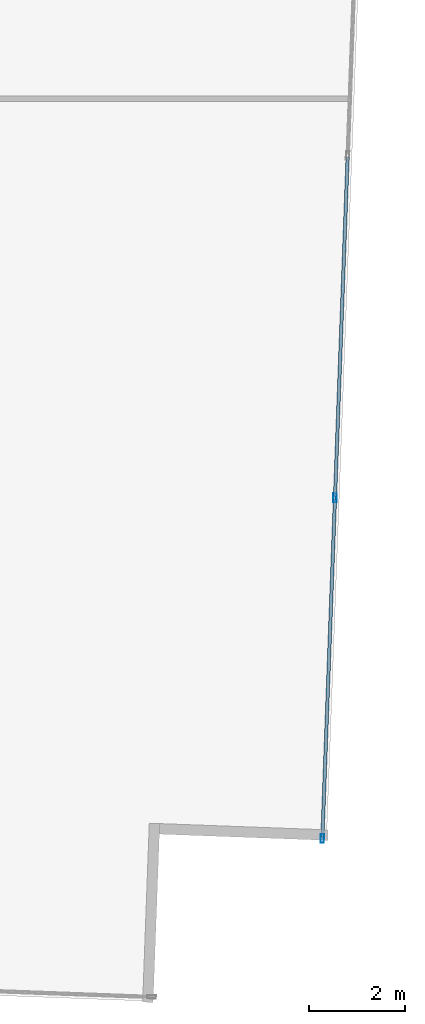
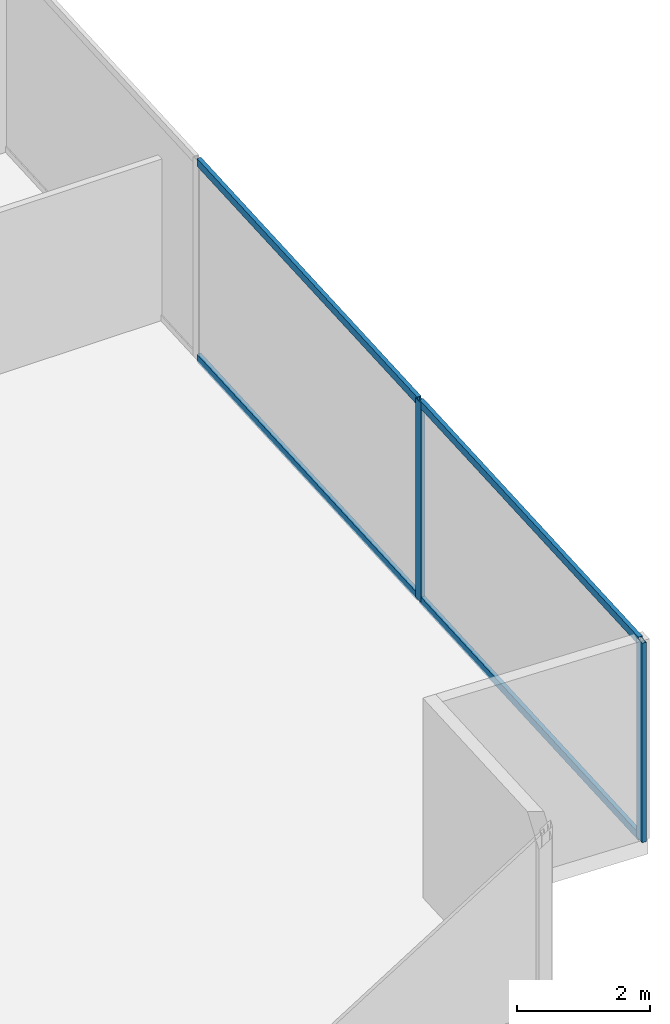
# One storey, part 14 of 30: 6 members, 1 element without a shape of its own.
"""IFC4 building model written with IfcOpenShell, lengths in metres."""

import ifcopenshell
import ifcopenshell.guid

model = None  # the IFC model being written
_history = None  # IfcOwnerHistory: only IFC2X3 demands one
_inside = {}  # id of a spatial element -> (the spatial element, [elements in it])
_under = {}  # id of a project, library or spatial element -> (it, [spatial elements below it])
_declared = {}  # id of a project -> (the project, [libraries it declares])
_typed = {}  # id of a type object -> (the type object, [elements of that type])
_made_of = {}  # id of a material, layer set ... -> (it, [elements and type objects made of it])


def new_model(schema):
    """Start an empty IFC model of exactly this schema.

    Asked for "IFC4X3", IfcOpenShell would pick the latest addendum, in which some entities
    have other attributes; the version numbers below select the first issue.
    IFC2X3 requires an IfcOwnerHistory on every rooted entity: one is made here for all.
    """
    global model, _history
    if schema == "IFC4X3":
        model = ifcopenshell.file(schema_version=(4, 3, 0, 0))
    else:
        model = ifcopenshell.file(schema=schema)
    _inside.clear()
    _under.clear()
    _declared.clear()
    _typed.clear()
    _made_of.clear()
    _history = None
    if model.schema == "IFC2X3":
        org = make("IfcOrganization", Name="unknown")
        user = make(
            "IfcPersonAndOrganization",
            ThePerson=make("IfcPerson", FamilyName="unknown"),
            TheOrganization=org,
        )
        app = make(
            "IfcApplication",
            ApplicationDeveloper=org,
            Version="unknown",
            ApplicationFullName="unknown",
            ApplicationIdentifier="unknown",
        )
        _history = make(
            "IfcOwnerHistory",
            OwningUser=user,
            OwningApplication=app,
            ChangeAction="ADDED",
            CreationDate=0,
        )
    return model


def make(cls, **values):
    """One entity of the class cls with the attributes given. An attribute that is None is left unset."""
    return model.create_entity(
        cls, **{name: value for name, value in values.items() if value is not None}
    )


def rooted(cls, **values):
    """An entity with a GlobalId (a new one), such as an element, a storey or a relation."""
    return make(cls, GlobalId=ifcopenshell.guid.new(), OwnerHistory=_history, **values)


def si_unit(unit_type, name, prefix=None):
    """IfcSIUnit, for example si_unit("LENGTHUNIT", "METRE", prefix="MILLI")."""
    return make("IfcSIUnit", UnitType=unit_type, Prefix=prefix, Name=name)


def assignment(units):
    """IfcUnitAssignment: the units of a project."""
    return None if units is None else make("IfcUnitAssignment", Units=units)


def point(xyz):
    """IfcCartesianPoint."""
    return None if xyz is None else make("IfcCartesianPoint", Coordinates=xyz)


def direction(xyz):
    """IfcDirection."""
    return None if xyz is None else make("IfcDirection", DirectionRatios=xyz)


def frame(location, z_axis=None, x_axis=None):
    """IfcAxis2Placement3D, a coordinate frame: its origin and axes. An axis left out is left unset."""
    return make(
        "IfcAxis2Placement3D",
        Location=point(location),
        Axis=direction(z_axis),
        RefDirection=direction(x_axis),
    )


def frame_2d(location, x_axis=None):
    """IfcAxis2Placement2D, a coordinate frame in the plane: its origin and x axis."""
    return make(
        "IfcAxis2Placement2D", Location=point(location), RefDirection=direction(x_axis)
    )


def origin():
    """The frame at (0, 0, 0) with its axes left unset."""
    return frame((0.0, 0.0, 0.0))


def origin_2d():
    """The frame at (0, 0) in the plane with its x axis left unset."""
    return frame_2d((0.0, 0.0))


def place(relative_to, where):
    """IfcLocalPlacement: puts the frame where relative to a parent placement (None: the world)."""
    return make(
        "IfcLocalPlacement", PlacementRelTo=relative_to, RelativePlacement=where
    )


def context(
    kind, dimensions, precision=None, world=None, true_north=None, identifier=None
):
    """IfcGeometricRepresentationContext, for example the 3D "Model" context."""
    return make(
        "IfcGeometricRepresentationContext",
        ContextIdentifier=identifier,
        ContextType=kind,
        CoordinateSpaceDimension=dimensions,
        Precision=precision,
        WorldCoordinateSystem=world,
        TrueNorth=true_north,
    )


def subcontext(parent, identifier, kind, view, scale=None):
    """IfcGeometricRepresentationSubContext, for example "Body" below "Model"."""
    return make(
        "IfcGeometricRepresentationSubContext",
        ContextIdentifier=identifier,
        ContextType=kind,
        ParentContext=parent,
        TargetScale=scale,
        TargetView=view,
    )


def project(units=None, contexts=None):
    """IfcProject with its units and contexts."""
    return rooted(
        "IfcProject",
        Name="project",
        RepresentationContexts=contexts,
        UnitsInContext=assignment(units),
    )


def spatial(cls, under=None, at=None, **own):
    """A site, building, storey or space (cls), placed at a placement, below another one or the project."""
    s = rooted(cls, ObjectPlacement=at, **own)
    if under is not None:
        _under.setdefault(under.id(), (under, []))[1].append(s)
    return s


def profile(cls, at=None, kind="AREA", **sizes):
    """A parametric profile (cls). Its sizes go by their IFC names, for example OverallWidth=200.0."""
    return make(cls, ProfileType=kind, Position=at, **sizes)


def hollow_rectangle(**sizes):
    """IfcRectangleHollowProfileDef."""
    return profile("IfcRectangleHollowProfileDef", **sizes)


def extrude(swept, where, along, depth):
    """IfcExtrudedAreaSolid: the profile swept, set in the frame where, extruded along a direction by depth."""
    return make(
        "IfcExtrudedAreaSolid",
        SweptArea=swept,
        Position=where,
        ExtrudedDirection=direction(along),
        Depth=depth,
    )


def shape(context_of_items, identifier, shape_type, items):
    """IfcShapeRepresentation: the items that make up one representation, for example the "Body"."""
    return make(
        "IfcShapeRepresentation",
        ContextOfItems=context_of_items,
        RepresentationIdentifier=identifier,
        RepresentationType=shape_type,
        Items=items,
    )


def source(mapping_origin, context_of_items, identifier, shape_type, items):
    """IfcRepresentationMap: a shape defined once, which mapped items show again and again."""
    return make(
        "IfcRepresentationMap",
        MappingOrigin=mapping_origin,
        MappedRepresentation=shape(context_of_items, identifier, shape_type, items),
    )


def transform(
    local_origin,
    x_axis=None,
    y_axis=None,
    z_axis=None,
    scale=None,
    scale2=None,
    scale3=None,
    uniform=True,
):
    """IfcCartesianTransformationOperator3D, or its non-uniform kind. x_axis, y_axis, z_axis: its Axis1, 2, 3."""
    if uniform:
        return make(
            "IfcCartesianTransformationOperator3D",
            Axis1=direction(x_axis),
            Axis2=direction(y_axis),
            LocalOrigin=point(local_origin),
            Scale=scale,
            Axis3=direction(z_axis),
        )
    return make(
        "IfcCartesianTransformationOperator3DnonUniform",
        Axis1=direction(x_axis),
        Axis2=direction(y_axis),
        LocalOrigin=point(local_origin),
        Scale=scale,
        Axis3=direction(z_axis),
        Scale2=scale2,
        Scale3=scale3,
    )


def mapped(mapping_source, mapping_target):
    """IfcMappedItem: shows the shape of a source again, moved by a transform."""
    return make(
        "IfcMappedItem", MappingSource=mapping_source, MappingTarget=mapping_target
    )


def material(Name=None, Category=None):
    """IfcMaterial."""
    return make("IfcMaterial", Name=Name, Category=Category)


def material_profile(
    of_material, cross_section, Name=None, Category=None, Priority=None
):
    """IfcMaterialProfile: a cross section and its material."""
    return make(
        "IfcMaterialProfile",
        Name=Name,
        Material=of_material,
        Profile=cross_section,
        Priority=Priority,
        Category=Category,
    )


def profile_set(profiles, Name=None, composite=None):
    """IfcMaterialProfileSet."""
    return make(
        "IfcMaterialProfileSet",
        Name=Name,
        MaterialProfiles=profiles,
        CompositeProfile=composite,
    )


def made_of(thing, what):
    """Note that an element or type object is made of a material, layer set ...; save() writes the relation."""
    if what is not None:
        _made_of.setdefault(what.id(), (what, []))[1].append(thing)
    return thing


def type_object(cls, material=None, **own):
    """A type object (cls), such as IfcWallType, which elements share."""
    return made_of(rooted(cls, **own), material)


def type_shapes(of_type, sources):
    """Give a type object the sources (RepresentationMaps) that its elements show as mapped items."""
    of_type.RepresentationMaps = sources


def element(
    cls,
    number,
    at=None,
    inside=None,
    cuts=None,
    type_object=None,
    material=None,
    context=None,
    identifier="Body",
    shape_type=None,
    held_by="IfcProductDefinitionShape",
    body=None,
    shapes=None,
    **own,
):
    """One element of the class cls, such as IfcWall. Its Tag is "e" and its number.

    at: its placement. inside: the storey or other place that contains it. cuts: it is an
    opening in that element (IfcRelVoidsElement). A single representation is given by context,
    identifier, shape_type and body (its items); several are given by shapes. held_by: the class
    of the entity that holds the representations. save() writes the other relations.
    """
    e = rooted(cls, Tag="e%d" % number, ObjectPlacement=at, **own)
    if body is not None:
        shapes = [shape(context, identifier, shape_type, body)]
    if shapes is not None:
        e.Representation = make(held_by, Representations=shapes)
    if inside is not None:
        _inside.setdefault(inside.id(), (inside, []))[1].append(e)
    if cuts is not None:
        rooted(
            "IfcRelVoidsElement", RelatingBuildingElement=cuts, RelatedOpeningElement=e
        )
    if type_object is not None:
        _typed.setdefault(type_object.id(), (type_object, []))[1].append(e)
    return made_of(e, material)


def aggregate(whole, parts):
    """IfcRelAggregates: a whole, such as a stair, and the parts it consists of."""
    return rooted("IfcRelAggregates", RelatingObject=whole, RelatedObjects=parts)


def save(model, path):
    """Write the relations noted so far, then the file.

    IfcRelAggregates (storeys below a building ...), IfcRelContainedInSpatialStructure (elements
    in a storey), IfcRelDefinesByType, IfcRelAssociatesMaterial and IfcRelDeclares: one each for
    every whole, place, type object, material and project.
    """
    for whole, parts in _under.values():
        aggregate(whole, parts)
    for where, things in _inside.values():
        rooted(
            "IfcRelContainedInSpatialStructure",
            RelatedElements=things,
            RelatingStructure=where,
        )
    for kind, things in _typed.values():
        rooted("IfcRelDefinesByType", RelatedObjects=things, RelatingType=kind)
    for what, things in _made_of.values():
        rooted("IfcRelAssociatesMaterial", RelatedObjects=things, RelatingMaterial=what)
    for by, libraries in _declared.values():
        rooted("IfcRelDeclares", RelatingContext=by, RelatedDefinitions=libraries)
    model.write(path)


model = new_model("IFC4")

# Units and contexts
model_context = context("Model", 3, precision=1e-05, world=origin(), true_north=direction((0.0, 1.0)))
body_context = subcontext(model_context, "Body", "Model", "MODEL_VIEW")
ifc_project = project(units=[si_unit("LENGTHUNIT", "METRE"), si_unit("AREAUNIT", "SQUARE_METRE"), si_unit("VOLUMEUNIT", "CUBIC_METRE"), si_unit("PLANEANGLEUNIT", "RADIAN"), si_unit("MASSUNIT", "GRAM", prefix="KILO")], contexts=[model_context])

# Site, building, storey
site_placement = place(None, origin())
site = spatial("IfcSite", under=ifc_project, at=site_placement, CompositionType="ELEMENT")
building_placement = place(site_placement, origin())
building = spatial("IfcBuilding", under=site, at=building_placement, Name="Krantzveldt Concourse Tower", CompositionType="ELEMENT")
storey_placement = place(building_placement, frame((0.0, 0.0, 40.800048828125)))
storey = spatial("IfcBuildingStorey", under=building, at=storey_placement, Name="L09", CompositionType="ELEMENT", Elevation=40.800048828125)

# Curtain wall, members
ifc_material = material(Name="Anodised aluminium 6063-T6", Category="aluminium")
curtain_wall_type = type_object("IfcCurtainWallType", Name="CW2", PredefinedType="USERDEFINED", material=ifc_material)
curtain_wall_placement = place(storey_placement, origin())
curtain_wall = element("IfcCurtainWall", 1, at=curtain_wall_placement, inside=storey, type_object=curtain_wall_type, Name="CW-L09-F07", ObjectType="UNITISED CURTAIN WALL", PredefinedType="USERDEFINED")
ifc_material_profile_1 = material_profile(ifc_material, hollow_rectangle(XDim=0.070068359375, YDim=0.179931640625, WallThickness=0.0048828125, at=origin_2d()), Name="Anodised aluminium 6063-T6", Category="aluminium")
ifc_profile_set_1 = profile_set([ifc_material_profile_1], Name="Anodised aluminium 6063-T6 - ALU-MULL 180x70x5")
member_type_1 = type_object("IfcMemberType", Name="CW-MUL-180", PredefinedType="MULLION", material=ifc_profile_set_1)
shared_shape_1 = source(origin(), body_context, "Body", "SweptSolid", [
    extrude(hollow_rectangle(XDim=0.070068359375, YDim=0.179931640625, WallThickness=0.0048828125, at=origin_2d()), origin(), (0.0, 0.0, 1.0), 3.669921875),
])
type_shapes(member_type_1, [shared_shape_1])
member_1_placement = place(storey_placement, frame((60.096923828125, 4.326171875, 0.0), z_axis=(0.0, 0.0, 1.0), x_axis=(-0.999312308986, 0.037079766834, 0.0)))
member_1 = element("IfcMember", 2, at=member_1_placement, type_object=member_type_1, Name="CW-Z12 mullion 1", PredefinedType="MULLION", context=body_context, shape_type="MappedRepresentation", body=[
    mapped(shared_shape_1, transform((0.0, 0.0, 0.0), x_axis=(1.0, 0.0, 0.0), y_axis=(0.0, 1.0, 0.0), z_axis=(0.0, 0.0, 1.0), scale=1.0)),
])
member_2_placement = place(storey_placement, frame((60.361328125, 11.452880859375, 0.0), z_axis=(0.0, 0.0, 1.0), x_axis=(-0.999312308986, 0.037079766834, 0.0)))
member_2 = element("IfcMember", 3, at=member_2_placement, type_object=member_type_1, Name="CW-Z12 mullion 2", PredefinedType="MULLION", context=body_context, shape_type="MappedRepresentation", body=[
    mapped(shared_shape_1, transform((0.0, 0.0, 0.0), x_axis=(1.0, 0.0, 0.0), y_axis=(0.0, 1.0, 0.0), z_axis=(0.0, 0.0, 1.0), scale=1.0)),
])
ifc_material_profile_2 = material_profile(ifc_material, hollow_rectangle(XDim=0.070068359375, YDim=0.139892578125, WallThickness=0.0048828125, at=origin_2d()), Name="Anodised aluminium 6063-T6", Category="aluminium")
ifc_profile_set_2 = profile_set([ifc_material_profile_2], Name="Anodised aluminium 6063-T6 - ALU-TRAN 140x70x5")
member_type_2 = type_object("IfcMemberType", Name="CW-TRN-150", PredefinedType="USERDEFINED", material=ifc_profile_set_2)
shared_shape_2 = source(origin(), body_context, "Body", "SweptSolid", [
    extrude(hollow_rectangle(XDim=0.070068359375, YDim=0.139892578125, WallThickness=0.0048828125, at=origin_2d()), origin(), (0.0, 0.0, 1.0), 7.0966796875),
])
member_3_placement = place(storey_placement, frame((60.36279296875, 11.48779296875, 0.034912109375), z_axis=(0.037051105127, 0.999313372075, 0.0), x_axis=(-0.999313372075, 0.037051105127, 0.0)))
member_3 = element("IfcMember", 4, at=member_3_placement, type_object=member_type_2, Name="CW-Z12 transom 2.1", ObjectType="TRANSOM", PredefinedType="USERDEFINED", context=body_context, shape_type="MappedRepresentation", body=[
    mapped(shared_shape_2, transform((0.0, 0.0, 0.0), x_axis=(1.0, 0.0, 0.0), y_axis=(0.0, 1.0, 0.0), z_axis=(0.0, 0.0, 1.0), scale=1.0)),
])
member_4_placement = place(storey_placement, frame((60.36279296875, 11.48779296875, 3.635009765625), z_axis=(0.037051105127, 0.999313372075, 0.0), x_axis=(-0.999313372075, 0.037051105127, 0.0)))
member_4 = element("IfcMember", 5, at=member_4_placement, type_object=member_type_2, Name="CW-Z12 transom 2.2", ObjectType="TRANSOM", PredefinedType="USERDEFINED", context=body_context, shape_type="MappedRepresentation", body=[
    mapped(shared_shape_2, transform((0.0, 0.0, 0.0), x_axis=(1.0, 0.0, 0.0), y_axis=(0.0, 1.0, 0.0), z_axis=(0.0, 0.0, 1.0), scale=1.0)),
])
shared_shape_3 = source(origin(), body_context, "Body", "SweptSolid", [
    extrude(hollow_rectangle(XDim=0.070068359375, YDim=0.139892578125, WallThickness=0.0048828125, at=origin_2d()), origin(), (0.0, 0.0, 1.0), 7.061767578125),
])
type_shapes(member_type_2, [shared_shape_2, shared_shape_3])
member_5_placement = place(storey_placement, frame((60.09814453125, 4.361083984375, 0.034912109375), z_axis=(0.037096054624, 0.99931170449, 0.0), x_axis=(-0.99931170449, 0.037096054624, 0.0)))
member_5 = element("IfcMember", 6, at=member_5_placement, type_object=member_type_2, Name="CW-Z12 transom 1.1", ObjectType="TRANSOM", PredefinedType="USERDEFINED", context=body_context, shape_type="MappedRepresentation", body=[
    mapped(shared_shape_3, transform((0.0, 0.0, 0.0), x_axis=(1.0, 0.0, 0.0), y_axis=(0.0, 1.0, 0.0), z_axis=(0.0, 0.0, 1.0), scale=1.0)),
])
member_6_placement = place(storey_placement, frame((60.09814453125, 4.361083984375, 3.635009765625), z_axis=(0.037096054624, 0.99931170449, 0.0), x_axis=(-0.99931170449, 0.037096054624, 0.0)))
member_6 = element("IfcMember", 7, at=member_6_placement, type_object=member_type_2, Name="CW-Z12 transom 1.2", ObjectType="TRANSOM", PredefinedType="USERDEFINED", context=body_context, shape_type="MappedRepresentation", body=[
    mapped(shared_shape_3, transform((0.0, 0.0, 0.0), x_axis=(1.0, 0.0, 0.0), y_axis=(0.0, 1.0, 0.0), z_axis=(0.0, 0.0, 1.0), scale=1.0)),
])
aggregate(curtain_wall, [member_1, member_2, member_5, member_6, member_3, member_4])

save(model, "model.ifc")
